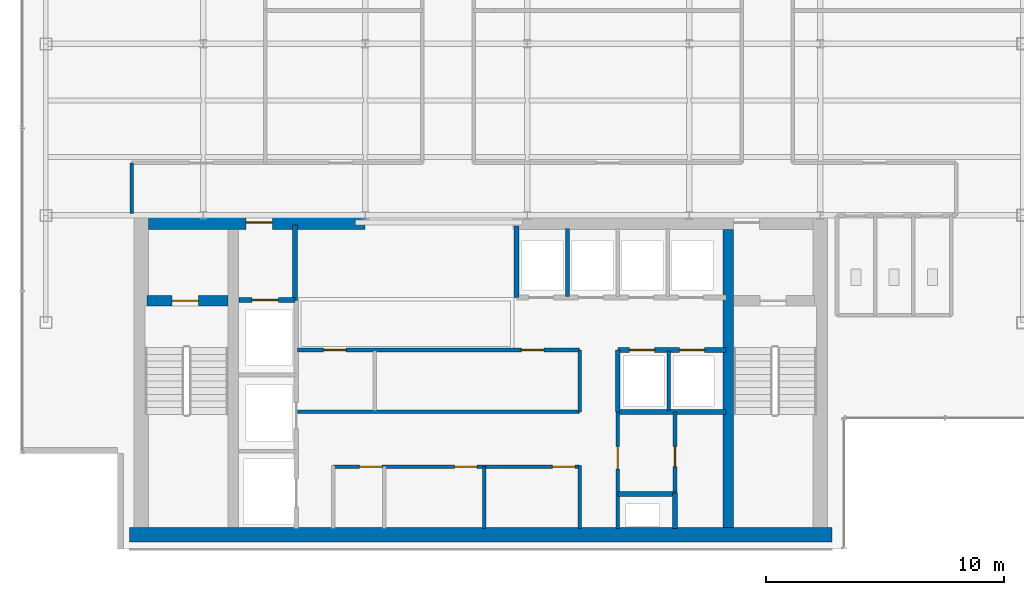
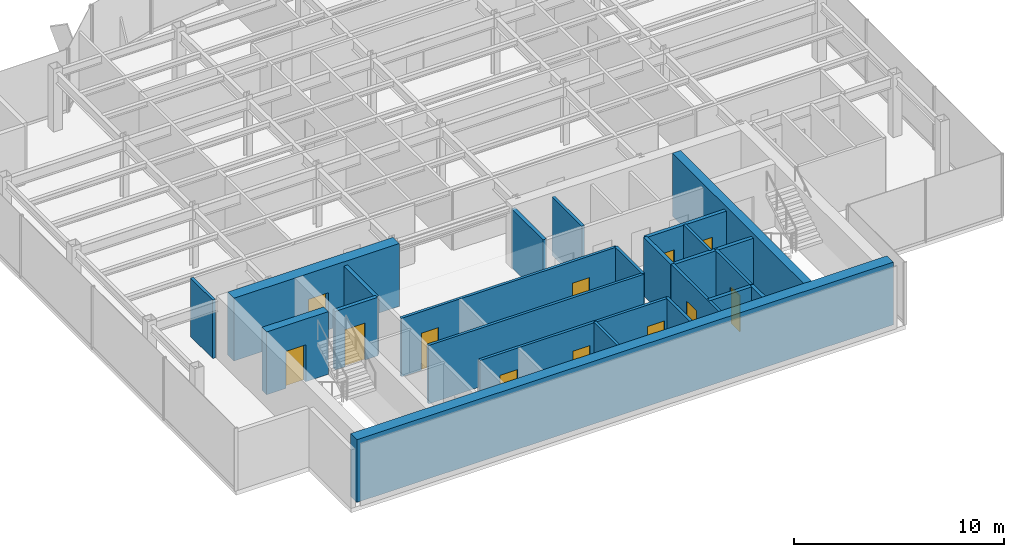
# One storey, part 17 of 22: 23 walls, 12 doors, 12 openings.
"""IFC4 building model written with IfcOpenShell, lengths in metres."""

from ifc_helpers import new_model, si_unit, derived_unit, direction, frame, frame_2d, origin, place, context, subcontext, project, spatial, rectangle, extrude, source, transform, mapped, material, layer, layer_set, type_object, element, fill, save


model = new_model("IFC4")

# Units and contexts
model_context = context("Model", 3, precision=1e-05, world=origin(), true_north=direction((0.0, 1.0)))
body_context = subcontext(model_context, "Body", "Model", "MODEL_VIEW")
ifc_project = project(units=[si_unit("LENGTHUNIT", "METRE"), si_unit("AREAUNIT", "SQUARE_METRE"), si_unit("VOLUMEUNIT", "CUBIC_METRE"), si_unit("PLANEANGLEUNIT", "RADIAN"), si_unit("MASSUNIT", "GRAM", prefix="KILO"), derived_unit("THERMALTRANSMITTANCEUNIT", [(si_unit("POWERUNIT", "WATT"), 1), (si_unit("LENGTHUNIT", "METRE"), -2), (si_unit("THERMODYNAMICTEMPERATUREUNIT", "KELVIN"), -1)])], contexts=[model_context])

# Site, building, storey
site_placement = place(None, origin())
site = spatial("IfcSite", under=ifc_project, at=site_placement, CompositionType="ELEMENT")
building_placement = place(site_placement, origin())
building = spatial("IfcBuilding", under=site, at=building_placement, Name="Skarnbrae Concourse Arena and Tower", CompositionType="ELEMENT")
storey_placement = place(building_placement, frame((0.0, 0.0, 269.75)))
storey = spatial("IfcBuildingStorey", under=building, at=storey_placement, Name="L70", CompositionType="ELEMENT", Elevation=269.75)

# Wall, opening, door
ifc_material_1 = material(Name="Concrete 50 MPa (C50/60)", Category="concrete")
ifc_layer_1 = layer(ifc_material_1, 0.449951171875)
ifc_layer_set_1 = layer_set([ifc_layer_1], Name="Concrete 50 MPa (C50/60)")
wall_type_1 = type_object("IfcWallType", Name="WALL-CORE-450-C50", PredefinedType="SHEAR", material=ifc_layer_set_1)
shared_shape_1 = source(origin(), body_context, "Body", "SweptSolid", [
    extrude(rectangle(XDim=3.389892578125, YDim=0.449951171875, at=frame_2d((1.69482421875, 0.0))), origin(), (0.0, 0.0, 1.0), 3.64990234375),
])
wall_1_placement = place(storey_placement, frame((5.25, 10.419921875, 0.0), z_axis=(0.0, 0.0, 1.0), x_axis=(1.0, 0.0, 0.0)))
wall_1 = element("IfcWall", 1, at=wall_1_placement, inside=storey, type_object=wall_type_1, Name="L70 Rear core shear wall CW-ST1-N", PredefinedType="SHEAR", context=body_context, shape_type="MappedRepresentation", body=[
    mapped(shared_shape_1, transform((0.0, 0.0, 0.0))),
])
opening_1_placement = place(wall_1_placement, frame((1.050048828125, 0.0, 0.0)))
opening_1 = element("IfcOpeningElement", 2, at=opening_1_placement, cuts=wall_1, Name="Opening DT-03", PredefinedType="OPENING", context=body_context, shape_type="SweptSolid", body=[
    extrude(rectangle(XDim=1.10009765625, YDim=2.14990234375, at=frame_2d((0.550048828125, 1.074951171875))), frame((0.0, 0.23486328125, 0.0), z_axis=(0.0, -1.0, 0.0), x_axis=(1.0, 0.0, 0.0)), (0.0, 0.0, 1.0), 0.469970703125),
])
ifc_material_2 = material(Name="Steel CSA G40.21 350W", Category="steel")
door_type_1 = type_object("IfcDoorType", Name="DOOR-FIRE-1100-90M", OperationType="NOTDEFINED", PredefinedType="DOOR", material=ifc_material_2)
shared_shape_2 = source(origin(), body_context, "Body", "SweptSolid", [
    extrude(rectangle(XDim=1.10009765625, YDim=2.14990234375, at=frame_2d((0.550048828125, 1.074951171875))), frame((0.0, 0.02490234375, 0.0), z_axis=(0.0, -1.0, 0.0), x_axis=(1.0, 0.0, 0.0)), (0.0, 0.0, 1.0), 0.050048828125),
])
door_1_placement = place(opening_1_placement, frame((1.10009765625, 0.0, 0.0), z_axis=(0.0, 0.0, 1.0), x_axis=(-1.0, 0.0, 0.0)))
door_1 = element("IfcDoor", 3, at=door_1_placement, inside=storey, type_object=door_type_1, Name="D-2106 Stair ST-1 Door", OperationType="SINGLE_SWING_LEFT", OverallHeight=2.14990234375, OverallWidth=1.10009765625, PredefinedType="DOOR", context=body_context, shape_type="MappedRepresentation", body=[
    mapped(shared_shape_2, transform((0.0, 0.0, 0.0))),
])
fill(opening_1, door_1)

# Wall
ifc_layer_2 = layer(ifc_material_1, 0.60009765625)
ifc_layer_set_2 = layer_set([ifc_layer_2], Name="Concrete 50 MPa (C50/60)")
wall_type_2 = type_object("IfcWallType", Name="WALL-CORE-600-C50", PredefinedType="SHEAR", material=ifc_layer_set_2)
shared_shape_3 = source(origin(), body_context, "Body", "SweptSolid", [
    extrude(rectangle(XDim=29.5, YDim=0.60009765625, at=frame_2d((14.75, 0.0))), origin(), (0.0, 0.0, 1.0), 3.64990234375),
])
wall_2_placement = place(storey_placement, frame((4.5, 0.60009765625, 0.0), z_axis=(0.0, 0.0, 1.0), x_axis=(1.0, 0.0, 0.0)))
element("IfcWall", 4, at=wall_2_placement, inside=storey, type_object=wall_type_2, Name="L70 Rear core shear wall CW-S", PredefinedType="SHEAR", context=body_context, shape_type="MappedRepresentation", body=[
    mapped(shared_shape_3, transform((0.0, 0.0, 0.0))),
])

# Wall, opening, door
shared_shape_4 = source(origin(), body_context, "Body", "SweptSolid", [
    extrude(rectangle(XDim=9.099853515625, YDim=0.60009765625, at=frame_2d((4.5498046875, 0.0))), origin(), (0.0, 0.0, 1.0), 3.64990234375),
])
wall_3_placement = place(storey_placement, frame((5.300048828125, 13.699951171875, 0.0), z_axis=(0.0, 0.0, 1.0), x_axis=(1.0, 0.0, 0.0)))
wall_3 = element("IfcWall", 5, at=wall_3_placement, inside=storey, type_object=wall_type_2, Name="L70 Rear core shear wall CW-NW", PredefinedType="SHEAR", context=body_context, shape_type="MappedRepresentation", body=[
    mapped(shared_shape_4, transform((0.0, 0.0, 0.0))),
])
opening_2_placement = place(wall_3_placement, frame((4.10009765625, 0.0, 0.0)))
opening_2 = element("IfcOpeningElement", 6, at=opening_2_placement, cuts=wall_3, Name="Opening DT-03", PredefinedType="OPENING", context=body_context, shape_type="SweptSolid", body=[
    extrude(rectangle(XDim=1.10009765625, YDim=2.14990234375, at=frame_2d((0.550048828125, 1.074951171875))), frame((0.0, 0.31005859375, 0.0), z_axis=(0.0, -1.0, 0.0), x_axis=(1.0, 0.0, 0.0)), (0.0, 0.0, 1.0), 0.6201171875),
])
door_2_placement = place(opening_2_placement, origin())
door_2 = element("IfcDoor", 7, at=door_2_placement, inside=storey, type_object=door_type_1, Name="D-2108 Firefighting Lobby Exit Door", OperationType="SINGLE_SWING_RIGHT", OverallHeight=2.14990234375, OverallWidth=1.10009765625, PredefinedType="DOOR", context=body_context, shape_type="MappedRepresentation", body=[
    mapped(shared_shape_2, transform((0.0, 0.0, 0.0))),
])
fill(opening_2, door_2)

# Walls
shared_shape_5 = source(origin(), body_context, "Body", "SweptSolid", [
    extrude(rectangle(XDim=12.5, YDim=0.449951171875, at=frame_2d((6.25, 0.0))), origin(), (0.0, 0.0, 1.0), 3.64990234375),
])
wall_4_placement = place(storey_placement, frame((29.635009765625, 0.89990234375, 0.0), z_axis=(0.0, 0.0, 1.0), x_axis=(0.0, 1.0, 0.0)))
element("IfcWall", 8, at=wall_4_placement, inside=storey, type_object=wall_type_1, Name="L70 Rear core shear wall CW-WEB-E", PredefinedType="SHEAR", context=body_context, shape_type="MappedRepresentation", body=[
    mapped(shared_shape_5, transform((0.0, 0.0, 0.0))),
])
ifc_material_3 = material(Name="Gypsum board on cold-formed steel studs", Category="steel")
ifc_layer_3 = layer(ifc_material_3, 0.199951171875)
ifc_layer_set_3 = layer_set([ifc_layer_3], Name="Gypsum board on cold-formed steel studs")
wall_type_3 = type_object("IfcWallType", Name="WALL-PART-200-2HR", PredefinedType="PARTITIONING", material=ifc_layer_set_3)
shared_shape_6 = source(origin(), body_context, "Body", "SweptSolid", [
    extrude(rectangle(XDim=3.18017578125, YDim=0.199951171875, at=frame_2d((1.590087890625, 0.0))), origin(), (0.0, 0.0, 1.0), 3.39990234375),
])
wall_5_placement = place(storey_placement, frame((11.449951171875, 10.419921875, 0.0), z_axis=(0.0, 0.0, 1.0), x_axis=(0.0, 1.0, 0.0)))
element("IfcWall", 9, at=wall_5_placement, inside=storey, type_object=wall_type_3, Name="L70 Interior partition wall W-L70-FFL-E", PredefinedType="PARTITIONING", context=body_context, shape_type="MappedRepresentation", body=[
    mapped(shared_shape_6, transform((0.0, 0.0, 0.0))),
])

# Wall, opening, door
shared_shape_7 = source(origin(), body_context, "Body", "SweptSolid", [
    extrude(rectangle(XDim=2.349853515625, YDim=0.199951171875, at=frame_2d((1.1748046875, 0.0))), origin(), (0.0, 0.0, 1.0), 3.39990234375),
])
wall_6_placement = place(storey_placement, frame((9.10009765625, 10.449951171875, 0.0), z_axis=(0.0, 0.0, 1.0), x_axis=(1.0, 0.0, 0.0)))
wall_6 = element("IfcWall", 10, at=wall_6_placement, inside=storey, type_object=wall_type_3, Name="L70 Interior partition wall W-L70-FL1-N", PredefinedType="PARTITIONING", context=body_context, shape_type="MappedRepresentation", body=[
    mapped(shared_shape_7, transform((0.0, 0.0, 0.0))),
])
opening_3_placement = place(wall_6_placement, frame((0.550048828125, 0.0, 0.0)))
opening_3 = element("IfcOpeningElement", 11, at=opening_3_placement, cuts=wall_6, Name="Opening LD-01", PredefinedType="OPENING", context=body_context, shape_type="SweptSolid", body=[
    extrude(rectangle(XDim=1.10009765625, YDim=2.14990234375, at=frame_2d((0.550048828125, 1.074951171875))), frame((0.0, 0.10986328125, 0.0), z_axis=(0.0, -1.0, 0.0), x_axis=(1.0, 0.0, 0.0)), (0.0, 0.0, 1.0), 0.219970703125),
])
door_type_2 = type_object("IfcDoorType", Name="DOOR-LIFT-SLIDE-1100", OperationType="SLIDING_TO_LEFT", PredefinedType="DOOR", material=ifc_material_2)
door_3_placement = place(opening_3_placement, origin())
door_3 = element("IfcDoor", 12, at=door_3_placement, inside=storey, type_object=door_type_2, Name="D-2110 Firefighting Lift Landing Door FL-01", OperationType="SLIDING_TO_LEFT", OverallHeight=2.14990234375, OverallWidth=1.10009765625, PredefinedType="DOOR", context=body_context, shape_type="MappedRepresentation", body=[
    mapped(shared_shape_2, transform((0.0, 0.0, 0.0))),
])
fill(opening_3, door_3)

# Walls
ifc_layer_4 = layer(ifc_material_3, 0.14990234375)
ifc_layer_set_4 = layer_set([ifc_layer_4], Name="Gypsum board on cold-formed steel studs")
wall_type_4 = type_object("IfcWallType", Name="WALL-PART-150", PredefinedType="PARTITIONING", material=ifc_layer_set_4)
shared_shape_8 = source(origin(), body_context, "Body", "SweptSolid", [
    extrude(rectangle(XDim=2.599853515625, YDim=0.14990234375, at=frame_2d((1.2998046875, 0.0))), origin(), (0.0, 0.0, 1.0), 3.39990234375),
])
wall_7_placement = place(storey_placement, frame((19.39990234375, 0.85009765625, 0.0), z_axis=(0.0, 0.0, 1.0), x_axis=(0.0, 1.0, 0.0)))
element("IfcWall", 13, at=wall_7_placement, inside=storey, type_object=wall_type_4, Name="L70 Interior partition wall W-L70-B1M-C2", PredefinedType="PARTITIONING", context=body_context, shape_type="MappedRepresentation", body=[
    mapped(shared_shape_8, transform((0.0, 0.0, 0.0))),
])
shared_shape_9 = source(origin(), body_context, "Body", "SweptSolid", [
    extrude(rectangle(XDim=2.60009765625, YDim=0.199951171875, at=frame_2d((1.300048828125, 0.0))), origin(), (0.0, 0.0, 1.0), 3.39990234375),
])
wall_8_placement = place(storey_placement, frame((25.0, 5.75, 0.0), z_axis=(0.0, 0.0, 1.0), x_axis=(0.0, 1.0, 0.0)))
element("IfcWall", 14, at=wall_8_placement, inside=storey, type_object=wall_type_3, Name="L70 Interior partition wall W-L70-B3S-W", PredefinedType="PARTITIONING", context=body_context, shape_type="MappedRepresentation", body=[
    mapped(shared_shape_9, transform((0.0, 0.0, 0.0))),
])
shared_shape_10 = source(origin(), body_context, "Body", "SweptSolid", [
    extrude(rectangle(XDim=2.5, YDim=0.14990234375, at=frame_2d((1.25, 0.0))), origin(), (0.0, 0.0, 1.0), 3.39990234375),
])
wall_9_placement = place(storey_placement, frame((27.139892578125, 5.800048828125, 0.0), z_axis=(0.0, 0.0, 1.0), x_axis=(0.0, 1.0, 0.0)))
element("IfcWall", 15, at=wall_9_placement, inside=storey, type_object=wall_type_4, Name="L70 Interior partition wall W-L70-B3S-P1", PredefinedType="PARTITIONING", context=body_context, shape_type="MappedRepresentation", body=[
    mapped(shared_shape_10, transform((0.0, 0.0, 0.0))),
])
shared_shape_11 = source(origin(), body_context, "Body", "SweptSolid", [
    extrude(rectangle(XDim=3.0, YDim=0.199951171875, at=frame_2d((1.5, 0.0))), origin(), (0.0, 0.0, 1.0), 3.39990234375),
])
wall_10_placement = place(storey_placement, frame((20.75, 10.550048828125, 0.0), z_axis=(0.0, 0.0, 1.0), x_axis=(0.0, 1.0, 0.0)))
element("IfcWall", 16, at=wall_10_placement, inside=storey, type_object=wall_type_3, Name="L70 Interior partition wall W-L70-B3N-W", PredefinedType="PARTITIONING", context=body_context, shape_type="MappedRepresentation", body=[
    mapped(shared_shape_11, transform((0.0, 0.0, 0.0))),
])
shared_shape_12 = source(origin(), body_context, "Body", "SweptSolid", [
    extrude(rectangle(XDim=2.849853515625, YDim=0.14990234375, at=frame_2d((1.4248046875, 0.0))), origin(), (0.0, 0.0, 1.0), 3.39990234375),
])
wall_11_placement = place(storey_placement, frame((22.889892578125, 10.60009765625, 0.0), z_axis=(0.0, 0.0, 1.0), x_axis=(0.0, 1.0, 0.0)))
element("IfcWall", 17, at=wall_11_placement, inside=storey, type_object=wall_type_4, Name="L70 Interior partition wall W-L70-B3N-P1", PredefinedType="PARTITIONING", context=body_context, shape_type="MappedRepresentation", body=[
    mapped(shared_shape_12, transform((0.0, 0.0, 0.0))),
])

# Wall, openings, doors
shared_shape_13 = source(origin(), body_context, "Body", "SweptSolid", [
    extrude(rectangle(XDim=4.550048828125, YDim=0.199951171875, at=frame_2d((2.27490234375, 0.0))), origin(), (0.0, 0.0, 1.0), 3.39990234375),
])
wall_12_placement = place(storey_placement, frame((25.0, 8.35009765625, 0.0), z_axis=(0.0, 0.0, 1.0), x_axis=(1.0, 0.0, 0.0)))
wall_12 = element("IfcWall", 18, at=wall_12_placement, inside=storey, type_object=wall_type_3, Name="L70 Interior partition wall W-L70-B3S-N", PredefinedType="PARTITIONING", context=body_context, shape_type="MappedRepresentation", body=[
    mapped(shared_shape_13, transform((0.0, 0.0, 0.0))),
])
opening_4_placement = place(wall_12_placement, frame((0.5, 0.0, 0.0)))
opening_4 = element("IfcOpeningElement", 19, at=opening_4_placement, cuts=wall_12, Name="Opening LD-04", PredefinedType="OPENING", context=body_context, shape_type="SweptSolid", body=[
    extrude(rectangle(XDim=1.050048828125, YDim=2.14990234375, at=frame_2d((0.52490234375, 1.074951171875))), frame((0.0, 0.10986328125, 0.0), z_axis=(0.0, -1.0, 0.0), x_axis=(1.0, 0.0, 0.0)), (0.0, 0.0, 1.0), 0.219970703125),
])
opening_5_placement = place(wall_12_placement, frame((2.60009765625, 0.0, 0.0)))
opening_5 = element("IfcOpeningElement", 20, at=opening_5_placement, cuts=wall_12, Name="Opening LD-04", PredefinedType="OPENING", context=body_context, shape_type="SweptSolid", body=[
    extrude(rectangle(XDim=1.050048828125, YDim=2.14990234375, at=frame_2d((0.52490234375, 1.074951171875))), frame((0.0, 0.10986328125, 0.0), z_axis=(0.0, -1.0, 0.0), x_axis=(1.0, 0.0, 0.0)), (0.0, 0.0, 1.0), 0.219970703125),
])
ifc_material_4 = material(Name="Bronze anodised aluminium 6063-T6", Category="aluminium")
door_type_3 = type_object("IfcDoorType", Name="DOOR-LIFT-SLIDE-1050H", OperationType="SLIDING_TO_LEFT", PredefinedType="DOOR", material=ifc_material_4)
shared_shape_14 = source(origin(), body_context, "Body", "SweptSolid", [
    extrude(rectangle(XDim=1.050048828125, YDim=2.14990234375, at=frame_2d((0.52490234375, 1.074951171875))), frame((0.0, 0.02490234375, 0.0), z_axis=(0.0, -1.0, 0.0), x_axis=(1.0, 0.0, 0.0)), (0.0, 0.0, 1.0), 0.050048828125),
])
door_4_placement = place(opening_4_placement, origin())
door_4 = element("IfcDoor", 21, at=door_4_placement, inside=storey, type_object=door_type_3, Name="D-2122 Passenger Lift Landing Door PL-3E", OperationType="SLIDING_TO_LEFT", OverallHeight=2.14990234375, OverallWidth=1.050048828125, PredefinedType="DOOR", context=body_context, shape_type="MappedRepresentation", body=[
    mapped(shared_shape_14, transform((0.0, 0.0, 0.0))),
])
fill(opening_4, door_4)
door_5_placement = place(opening_5_placement, origin())
door_5 = element("IfcDoor", 22, at=door_5_placement, inside=storey, type_object=door_type_3, Name="D-2123 Passenger Lift Landing Door PL-3F", OperationType="SLIDING_TO_LEFT", OverallHeight=2.14990234375, OverallWidth=1.050048828125, PredefinedType="DOOR", context=body_context, shape_type="MappedRepresentation", body=[
    mapped(shared_shape_14, transform((0.0, 0.0, 0.0))),
])
fill(opening_5, door_5)

# Wall
wall_13_placement = place(storey_placement, frame((25.0, 5.75, 0.0), z_axis=(0.0, 0.0, 1.0), x_axis=(1.0, 0.0, 0.0)))
element("IfcWall", 23, at=wall_13_placement, inside=storey, type_object=wall_type_3, Name="L70 Interior partition wall W-L70-B3S-S", PredefinedType="PARTITIONING", context=body_context, shape_type="MappedRepresentation", body=[
    mapped(shared_shape_13, transform((0.0, 0.0, 0.0))),
])

# Wall, opening, door
ifc_layer_5 = layer(ifc_material_3, 0.14990234375)
ifc_layer_set_5 = layer_set([ifc_layer_5], Name="Gypsum board on cold-formed steel studs")
wall_type_5 = type_object("IfcWallType", Name="WALL-PART-150-1HR", PredefinedType="PARTITIONING", material=ifc_layer_set_5)
shared_shape_15 = source(origin(), body_context, "Body", "SweptSolid", [
    extrude(rectangle(XDim=4.89990234375, YDim=0.14990234375, at=frame_2d((2.449951171875, 0.0))), origin(), (0.0, 0.0, 1.0), 3.39990234375),
])
wall_14_placement = place(storey_placement, frame((25.0, 0.85009765625, 0.0), z_axis=(0.0, 0.0, 1.0), x_axis=(0.0, 1.0, 0.0)))
wall_14 = element("IfcWall", 24, at=wall_14_placement, inside=storey, type_object=wall_type_5, Name="L70 Interior partition wall W-L70-CSV-W", PredefinedType="PARTITIONING", context=body_context, shape_type="MappedRepresentation", body=[
    mapped(shared_shape_15, transform((0.0, 0.0, 0.0))),
])
opening_6_placement = place(wall_14_placement, frame((2.5, 0.0, 0.0)))
opening_6 = element("IfcOpeningElement", 25, at=opening_6_placement, cuts=wall_14, Name="Opening DT-04", PredefinedType="OPENING", context=body_context, shape_type="SweptSolid", body=[
    extrude(rectangle(XDim=0.949951171875, YDim=2.14990234375, at=frame_2d((0.47509765625, 1.074951171875))), frame((0.0, 0.0849609375, 0.0), z_axis=(0.0, -1.0, 0.0), x_axis=(1.0, 0.0, 0.0)), (0.0, 0.0, 1.0), 0.169921875),
])
door_type_4 = type_object("IfcDoorType", Name="DOOR-INT-950-45M", OperationType="NOTDEFINED", PredefinedType="DOOR", material=ifc_material_2)
shared_shape_16 = source(origin(), body_context, "Body", "SweptSolid", [
    extrude(rectangle(XDim=0.949951171875, YDim=2.14990234375, at=frame_2d((0.47509765625, 1.074951171875))), frame((0.0, 0.02490234375, 0.0), z_axis=(0.0, -1.0, 0.0), x_axis=(1.0, 0.0, 0.0)), (0.0, 0.0, 1.0), 0.050048828125),
])
door_6_placement = place(opening_6_placement, origin())
door_6 = element("IfcDoor", 26, at=door_6_placement, inside=storey, type_object=door_type_4, Name="D-2124 Core Pantry Door", OperationType="SINGLE_SWING_RIGHT", OverallHeight=2.14990234375, OverallWidth=0.949951171875, PredefinedType="DOOR", context=body_context, shape_type="MappedRepresentation", body=[
    mapped(shared_shape_16, transform((0.0, 0.0, 0.0))),
])
fill(opening_6, door_6)

# Walls
shared_shape_17 = source(origin(), body_context, "Body", "SweptSolid", [
    extrude(rectangle(XDim=2.39990234375, YDim=0.199951171875, at=frame_2d((1.199951171875, 0.0))), origin(), (0.0, 0.0, 1.0), 3.39990234375),
])
wall_15_placement = place(storey_placement, frame((25.0, 2.300048828125, 0.0), z_axis=(0.0, 0.0, 1.0), x_axis=(1.0, 0.0, 0.0)))
element("IfcWall", 27, at=wall_15_placement, inside=storey, type_object=wall_type_3, Name="L70 Interior partition wall W-L70-MEP-N", PredefinedType="PARTITIONING", context=body_context, shape_type="MappedRepresentation", body=[
    mapped(shared_shape_17, transform((0.0, 0.0, 0.0))),
])
shared_shape_18 = source(origin(), body_context, "Body", "SweptSolid", [
    extrude(rectangle(XDim=1.5, YDim=0.199951171875, at=frame_2d((0.75, 0.0))), origin(), (0.0, 0.0, 1.0), 3.39990234375),
])
wall_16_placement = place(storey_placement, frame((27.39990234375, 0.85009765625, 0.0), z_axis=(0.0, 0.0, 1.0), x_axis=(0.0, 1.0, 0.0)))
element("IfcWall", 28, at=wall_16_placement, inside=storey, type_object=wall_type_3, Name="L70 Interior partition wall W-L70-MEP-E", PredefinedType="PARTITIONING", context=body_context, shape_type="MappedRepresentation", body=[
    mapped(shared_shape_18, transform((0.0, 0.0, 0.0))),
])

# Wall, opening, door
shared_shape_19 = source(origin(), body_context, "Body", "SweptSolid", [
    extrude(rectangle(XDim=3.39990234375, YDim=0.14990234375, at=frame_2d((1.699951171875, 0.0))), origin(), (0.0, 0.0, 1.0), 3.39990234375),
])
wall_17_placement = place(storey_placement, frame((27.39990234375, 2.35009765625, 0.0), z_axis=(0.0, 0.0, 1.0), x_axis=(0.0, 1.0, 0.0)))
wall_17 = element("IfcWall", 29, at=wall_17_placement, inside=storey, type_object=wall_type_4, Name="L70 Interior partition wall W-L70-CSV-V", PredefinedType="PARTITIONING", context=body_context, shape_type="MappedRepresentation", body=[
    mapped(shared_shape_19, transform((0.0, 0.0, 0.0))),
])
opening_7_placement = place(wall_17_placement, frame((1.10009765625, 0.0, 0.0)))
opening_7 = element("IfcOpeningElement", 30, at=opening_7_placement, cuts=wall_17, Name="Opening DT-06", PredefinedType="OPENING", context=body_context, shape_type="SweptSolid", body=[
    extrude(rectangle(XDim=0.85009765625, YDim=2.10009765625, at=frame_2d((0.425048828125, 1.050048828125))), frame((0.0, 0.0849609375, 0.0), z_axis=(0.0, -1.0, 0.0), x_axis=(1.0, 0.0, 0.0)), (0.0, 0.0, 1.0), 0.169921875),
])
ifc_material_5 = material(Name="Architectural oak veneer timber leaf", Category="wood")
door_type_5 = type_object("IfcDoorType", Name="DOOR-INT-850", OperationType="NOTDEFINED", PredefinedType="DOOR", material=ifc_material_5)
shared_shape_20 = source(origin(), body_context, "Body", "SweptSolid", [
    extrude(rectangle(XDim=0.85009765625, YDim=2.10009765625, at=frame_2d((0.425048828125, 1.050048828125))), frame((0.0, 0.02490234375, 0.0), z_axis=(0.0, -1.0, 0.0), x_axis=(1.0, 0.0, 0.0)), (0.0, 0.0, 1.0), 0.050048828125),
])
door_7_placement = place(opening_7_placement, frame((0.85009765625, 0.0, 0.0), z_axis=(0.0, 0.0, 1.0), x_axis=(-1.0, 0.0, 0.0)))
door_7 = element("IfcDoor", 31, at=door_7_placement, inside=storey, type_object=door_type_5, Name="D-2125 Supply Cupboard Door", OperationType="SINGLE_SWING_LEFT", OverallHeight=2.10009765625, OverallWidth=0.85009765625, PredefinedType="DOOR", context=body_context, shape_type="MappedRepresentation", body=[
    mapped(shared_shape_20, transform((0.0, 0.0, 0.0))),
])
fill(opening_7, door_7)

# Wall
shared_shape_21 = source(origin(), body_context, "Body", "SweptSolid", [
    extrude(rectangle(XDim=2.64990234375, YDim=0.14990234375, at=frame_2d((1.324951171875, 0.0))), origin(), (0.0, 0.0, 1.0), 3.39990234375),
])
wall_18_placement = place(storey_placement, frame((23.39990234375, 0.85009765625, 0.0), z_axis=(0.0, 0.0, 1.0), x_axis=(0.0, 1.0, 0.0)))
element("IfcWall", 32, at=wall_18_placement, inside=storey, type_object=wall_type_5, Name="L70 Interior partition wall W-L70-B1M-E", PredefinedType="PARTITIONING", context=body_context, shape_type="MappedRepresentation", body=[
    mapped(shared_shape_21, transform((0.0, 0.0, 0.0))),
])

# Wall, openings, doors
shared_shape_22 = source(origin(), body_context, "Body", "SweptSolid", [
    extrude(rectangle(XDim=10.349853515625, YDim=0.14990234375, at=frame_2d((5.1748046875, 0.0))), origin(), (0.0, 0.0, 1.0), 3.39990234375),
])
wall_19_placement = place(storey_placement, frame((13.050048828125, 3.449951171875, 0.0), z_axis=(0.0, 0.0, 1.0), x_axis=(1.0, 0.0, 0.0)))
wall_19 = element("IfcWall", 33, at=wall_19_placement, inside=storey, type_object=wall_type_5, Name="L70 Interior partition wall W-L70-B1M-N", PredefinedType="PARTITIONING", context=body_context, shape_type="MappedRepresentation", body=[
    mapped(shared_shape_22, transform((0.0, 0.0, 0.0))),
])
opening_8_placement = place(wall_19_placement, frame((1.10009765625, 0.0, 0.0)))
opening_8 = element("IfcOpeningElement", 34, at=opening_8_placement, cuts=wall_19, Name="Opening DT-04", PredefinedType="OPENING", context=body_context, shape_type="SweptSolid", body=[
    extrude(rectangle(XDim=0.949951171875, YDim=2.14990234375, at=frame_2d((0.47509765625, 1.074951171875))), frame((0.0, 0.0849609375, 0.0), z_axis=(0.0, -1.0, 0.0), x_axis=(1.0, 0.0, 0.0)), (0.0, 0.0, 1.0), 0.169921875),
])
opening_9_placement = place(wall_19_placement, frame((5.10009765625, 0.0, 0.0)))
opening_9 = element("IfcOpeningElement", 35, at=opening_9_placement, cuts=wall_19, Name="Opening DT-04", PredefinedType="OPENING", context=body_context, shape_type="SweptSolid", body=[
    extrude(rectangle(XDim=0.949951171875, YDim=2.14990234375, at=frame_2d((0.47509765625, 1.074951171875))), frame((0.0, 0.0849609375, 0.0), z_axis=(0.0, -1.0, 0.0), x_axis=(1.0, 0.0, 0.0)), (0.0, 0.0, 1.0), 0.169921875),
])
opening_10_placement = place(wall_19_placement, frame((9.199951171875, 0.0, 0.0)))
opening_10 = element("IfcOpeningElement", 36, at=opening_10_placement, cuts=wall_19, Name="Opening DT-04", PredefinedType="OPENING", context=body_context, shape_type="SweptSolid", body=[
    extrude(rectangle(XDim=0.949951171875, YDim=2.14990234375, at=frame_2d((0.47509765625, 1.074951171875))), frame((0.0, 0.0849609375, 0.0), z_axis=(0.0, -1.0, 0.0), x_axis=(1.0, 0.0, 0.0)), (0.0, 0.0, 1.0), 0.169921875),
])
door_8_placement = place(opening_8_placement, origin())
door_8 = element("IfcDoor", 37, at=door_8_placement, inside=storey, type_object=door_type_4, Name="D-2113 Core Service Door 1", OperationType="SINGLE_SWING_LEFT", OverallHeight=2.14990234375, OverallWidth=0.949951171875, PredefinedType="DOOR", context=body_context, shape_type="MappedRepresentation", body=[
    mapped(shared_shape_16, transform((0.0, 0.0, 0.0))),
])
fill(opening_8, door_8)
door_9_placement = place(opening_9_placement, origin())
door_9 = element("IfcDoor", 38, at=door_9_placement, inside=storey, type_object=door_type_4, Name="D-2114 Core Service Door 2", OperationType="SINGLE_SWING_RIGHT", OverallHeight=2.14990234375, OverallWidth=0.949951171875, PredefinedType="DOOR", context=body_context, shape_type="MappedRepresentation", body=[
    mapped(shared_shape_16, transform((0.0, 0.0, 0.0))),
])
fill(opening_9, door_9)
door_10_placement = place(opening_10_placement, origin())
door_10 = element("IfcDoor", 39, at=door_10_placement, inside=storey, type_object=door_type_4, Name="D-2115 Core Service Door 3", OperationType="SINGLE_SWING_LEFT", OverallHeight=2.14990234375, OverallWidth=0.949951171875, PredefinedType="DOOR", context=body_context, shape_type="MappedRepresentation", body=[
    mapped(shared_shape_16, transform((0.0, 0.0, 0.0))),
])
fill(opening_10, door_10)

# Walls
shared_shape_23 = source(origin(), body_context, "Body", "SweptSolid", [
    extrude(rectangle(XDim=2.119873046875, YDim=0.14990234375, at=frame_2d((1.06005859375, 0.0))), origin(), (0.0, 0.0, 1.0), 3.39990234375),
])
wall_20_placement = place(storey_placement, frame((4.60009765625, 14.080078125, 0.0), z_axis=(0.0, 0.0, 1.0), x_axis=(0.0, 1.0, 0.0)))
element("IfcWall", 40, at=wall_20_placement, inside=storey, type_object=wall_type_5, Name="L70 Interior partition wall W-L70-COR-01", PredefinedType="PARTITIONING", context=body_context, shape_type="MappedRepresentation", body=[
    mapped(shared_shape_23, transform((0.0, 0.0, 0.0))),
])
shared_shape_24 = source(origin(), body_context, "Body", "SweptSolid", [
    extrude(rectangle(XDim=11.849853515625, YDim=0.14990234375, at=frame_2d((5.9248046875, 0.0))), origin(), (0.0, 0.0, 1.0), 3.39990234375),
])
wall_21_placement = place(storey_placement, frame((11.550048828125, 5.75, 0.0), z_axis=(0.0, 0.0, 1.0), x_axis=(1.0, 0.0, 0.0)))
element("IfcWall", 41, at=wall_21_placement, inside=storey, type_object=wall_type_5, Name="L70 Interior partition wall W-L70-B2M-S", PredefinedType="PARTITIONING", context=body_context, shape_type="MappedRepresentation", body=[
    mapped(shared_shape_24, transform((0.0, 0.0, 0.0))),
])

# Wall, openings, doors
wall_22_placement = place(storey_placement, frame((11.550048828125, 8.35009765625, 0.0), z_axis=(0.0, 0.0, 1.0), x_axis=(1.0, 0.0, 0.0)))
wall_22 = element("IfcWall", 42, at=wall_22_placement, inside=storey, type_object=wall_type_5, Name="L70 Interior partition wall W-L70-B2M-N", PredefinedType="PARTITIONING", context=body_context, shape_type="MappedRepresentation", body=[
    mapped(shared_shape_24, transform((0.0, 0.0, 0.0))),
])
opening_11_placement = place(wall_22_placement, frame((1.10009765625, 0.0, 0.0)))
opening_11 = element("IfcOpeningElement", 43, at=opening_11_placement, cuts=wall_22, Name="Opening DT-04", PredefinedType="OPENING", context=body_context, shape_type="SweptSolid", body=[
    extrude(rectangle(XDim=0.949951171875, YDim=2.14990234375, at=frame_2d((0.47509765625, 1.074951171875))), frame((0.0, 0.0849609375, 0.0), z_axis=(0.0, -1.0, 0.0), x_axis=(1.0, 0.0, 0.0)), (0.0, 0.0, 1.0), 0.169921875),
])
opening_12_placement = place(wall_22_placement, frame((9.39990234375, 0.0, 0.0)))
opening_12 = element("IfcOpeningElement", 44, at=opening_12_placement, cuts=wall_22, Name="Opening DT-04", PredefinedType="OPENING", context=body_context, shape_type="SweptSolid", body=[
    extrude(rectangle(XDim=0.949951171875, YDim=2.14990234375, at=frame_2d((0.47509765625, 1.074951171875))), frame((0.0, 0.0849609375, 0.0), z_axis=(0.0, -1.0, 0.0), x_axis=(1.0, 0.0, 0.0)), (0.0, 0.0, 1.0), 0.169921875),
])
door_11_placement = place(opening_11_placement, origin())
door_11 = element("IfcDoor", 45, at=door_11_placement, inside=storey, type_object=door_type_4, Name="D-2116 High-Zone Data Door", OperationType="SINGLE_SWING_RIGHT", OverallHeight=2.14990234375, OverallWidth=0.949951171875, PredefinedType="DOOR", context=body_context, shape_type="MappedRepresentation", body=[
    mapped(shared_shape_16, transform((0.0, 0.0, 0.0))),
])
fill(opening_11, door_11)
door_12_placement = place(opening_12_placement, origin())
door_12 = element("IfcDoor", 46, at=door_12_placement, inside=storey, type_object=door_type_4, Name="D-2117 Reprographics Door", OperationType="SINGLE_SWING_LEFT", OverallHeight=2.14990234375, OverallWidth=0.949951171875, PredefinedType="DOOR", context=body_context, shape_type="MappedRepresentation", body=[
    mapped(shared_shape_16, transform((0.0, 0.0, 0.0))),
])
fill(opening_12, door_12)

# Wall
shared_shape_25 = source(origin(), body_context, "Body", "SweptSolid", [
    extrude(rectangle(XDim=2.60009765625, YDim=0.14990234375, at=frame_2d((1.300048828125, 0.0))), origin(), (0.0, 0.0, 1.0), 3.39990234375),
])
wall_23_placement = place(storey_placement, frame((23.39990234375, 5.75, 0.0), z_axis=(0.0, 0.0, 1.0), x_axis=(0.0, 1.0, 0.0)))
element("IfcWall", 47, at=wall_23_placement, inside=storey, type_object=wall_type_5, Name="L70 Interior partition wall W-L70-B2M-E", PredefinedType="PARTITIONING", context=body_context, shape_type="MappedRepresentation", body=[
    mapped(shared_shape_25, transform((0.0, 0.0, 0.0))),
])

save(model, "model.ifc")
